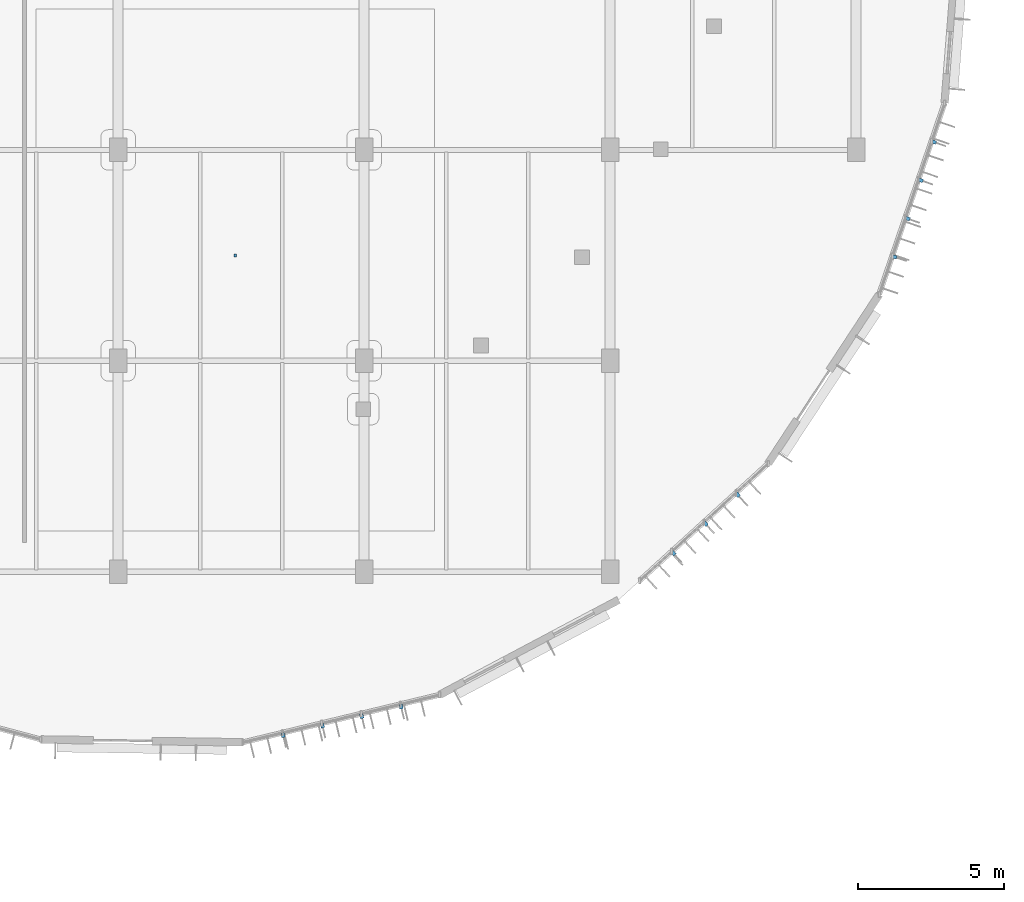
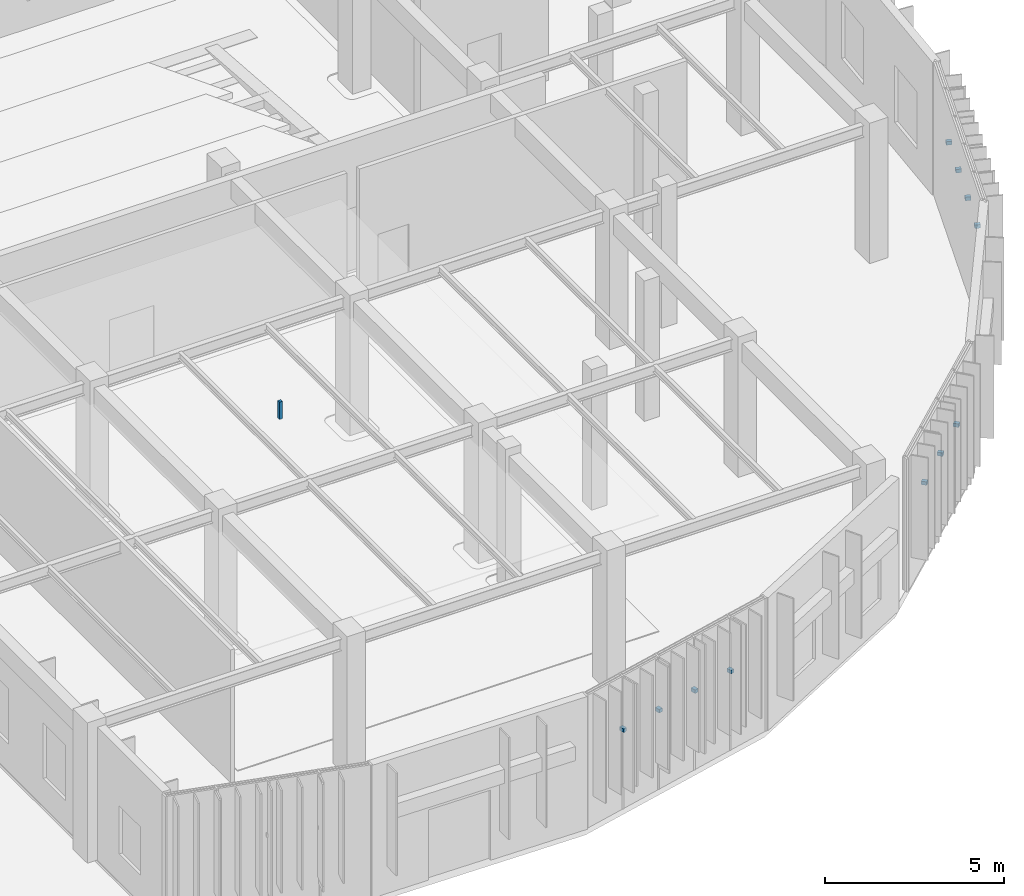
# One storey, part 51 of 122: 12 discrete accessories.
"""IFC4 building model written with IfcOpenShell, lengths in metres."""

from ifc_helpers import new_model, si_unit, direction, frame, origin, origin_2d, place, context, subcontext, project, spatial, rectangle, extrude, material, type_object, element, save


model = new_model("IFC4")

# Units and contexts
model_context = context("Model", 3, precision=1e-05, world=origin(), true_north=direction((0.0, 1.0)))
body_context = subcontext(model_context, "Body", "Model", "MODEL_VIEW")
ifc_project = project(units=[si_unit("LENGTHUNIT", "METRE"), si_unit("AREAUNIT", "SQUARE_METRE"), si_unit("VOLUMEUNIT", "CUBIC_METRE"), si_unit("PLANEANGLEUNIT", "RADIAN"), si_unit("MASSUNIT", "GRAM", prefix="KILO")], contexts=[model_context])

# Site, building, storey
site_placement = place(None, origin())
site = spatial("IfcSite", under=ifc_project, at=site_placement, CompositionType="ELEMENT")
building_placement = place(site_placement, origin())
building = spatial("IfcBuilding", under=site, at=building_placement, Name="Tazoul Stagehouse", CompositionType="ELEMENT")
storey_placement = place(building_placement, origin())
storey = spatial("IfcBuildingStorey", under=building, at=storey_placement, Name="L00", CompositionType="ELEMENT", Elevation=0.0)

# Discrete accessories
ifc_material = material(Name="Austenitic Stainless Steel EN 1.4401", Category="steel")
discrete_accessory_type_1 = type_object("IfcDiscreteAccessoryType", Name="Interior Acoustic Hanger Bracket", PredefinedType="BRACKET", material=ifc_material)
discrete_accessory_placement = place(storey_placement, frame((137.800048828125, 33.800048828125, 3.97998046875), z_axis=(0.0, 0.0, 1.0), x_axis=(1.0, 0.0, 0.0)))
element("IfcDiscreteAccessory", 1, at=discrete_accessory_placement, inside=storey, type_object=discrete_accessory_type_1, Name="L00 Cultural Bookshop and Espresso Cafe Ceiling Suspension Bracket", PredefinedType="BRACKET", context=body_context, shape_type="SweptSolid", body=[
    extrude(rectangle(XDim=0.10009765625, YDim=0.10009765625, at=origin_2d()), origin(), (0.0, 0.0, 1.0), 0.590087890625),
])
discrete_accessory_type_2 = type_object("IfcDiscreteAccessoryType", Name="Stainless Steel Louvre Support Cleat Bracket", PredefinedType="BRACKET", material=ifc_material)
for number, where, z_axis, x_axis, name in (
    (2, (139.430908203125, 17.417724609375, 2.66064453125), (0.0, 0.0, 1.0), (0.972063098492, 0.234719689311, 0.0), "Cleat Bracket BRK-01 CW-V4-DRUM-L00-S03-BRK01"),
    (3, (140.774169921875, 17.7421875, 2.66064453125), (0.0, 0.0, 1.0), (0.972063098492, 0.234719689311, 0.0), "Cleat Bracket BRK-01 CW-V4-DRUM-L00-S03-BRK02"),
    (4, (142.11767578125, 18.06640625, 2.66064453125), (0.0, 0.0, 1.0), (0.972063098492, 0.234719689311, 0.0), "Cleat Bracket BRK-01 CW-V4-DRUM-L00-S03-BRK03"),
    (5, (143.461181640625, 18.390869140625, 2.66064453125), (0.0, 0.0, 1.0), (0.972063098492, 0.234719689311, 0.0), "Cleat Bracket BRK-01 CW-V4-DRUM-L00-S03-BRK04"),
    (6, (152.762939453125, 23.631591796875, 2.66064453125), (0.0, 0.0, 1.0), (0.739150483547, 0.673540320005, 0.0), "Cleat Bracket BRK-01 CW-V4-DRUM-L00-S05-BRK01"),
    (7, (153.859130859375, 24.630615234375, 2.66064453125), (0.0, 0.0, 1.0), (0.739150483547, 0.673540320005, 0.0), "Cleat Bracket BRK-01 CW-V4-DRUM-L00-S05-BRK02"),
    (8, (154.955322265625, 25.62939453125, 2.66064453125), (0.0, 0.0, 1.0), (0.739150483547, 0.673540320005, 0.0), "Cleat Bracket BRK-01 CW-V4-DRUM-L00-S05-BRK03"),
    (9, (160.312255859375, 33.746337890625, 2.66064453125), (0.0, 0.0, 1.0), (0.323785316605, 0.946130577009, 0.0), "Cleat Bracket BRK-01 CW-V4-DRUM-L00-S07-BRK01"),
    (10, (160.759765625, 35.053955078125, 2.66064453125), (0.0, 0.0, 1.0), (0.323785316605, 0.946130577009, 0.0), "Cleat Bracket BRK-01 CW-V4-DRUM-L00-S07-BRK02"),
    (11, (161.207275390625, 36.361572265625, 2.66064453125), (0.0, 0.0, 1.0), (0.323785316605, 0.946130577009, 0.0), "Cleat Bracket BRK-01 CW-V4-DRUM-L00-S07-BRK03"),
    (12, (161.65478515625, 37.669189453125, 2.66064453125), (0.0, 0.0, 1.0), (0.323785316605, 0.946130577009, 0.0), "Cleat Bracket BRK-01 CW-V4-DRUM-L00-S07-BRK04"),
):
    element("IfcDiscreteAccessory", number, at=place(storey_placement, frame(where, z_axis=z_axis, x_axis=x_axis)), inside=storey, type_object=discrete_accessory_type_2, Name=name, PredefinedType="BRACKET", context=body_context, shape_type="SweptSolid", body=[
        extrude(rectangle(XDim=0.1201171875, YDim=0.159912109375, at=origin_2d()), origin(), (0.0, 0.0, 1.0), 0.1201171875),
    ])

save(model, "model.ifc")
